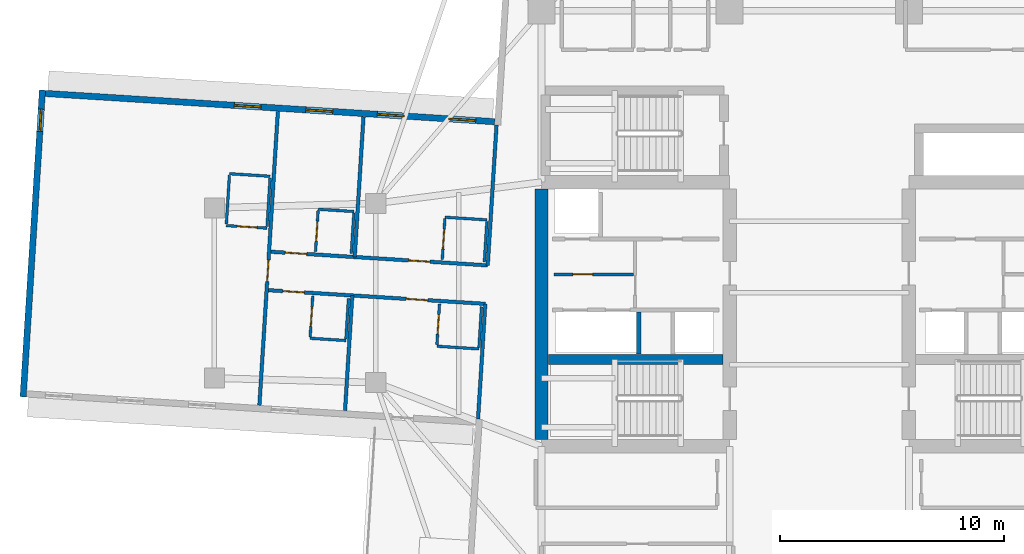
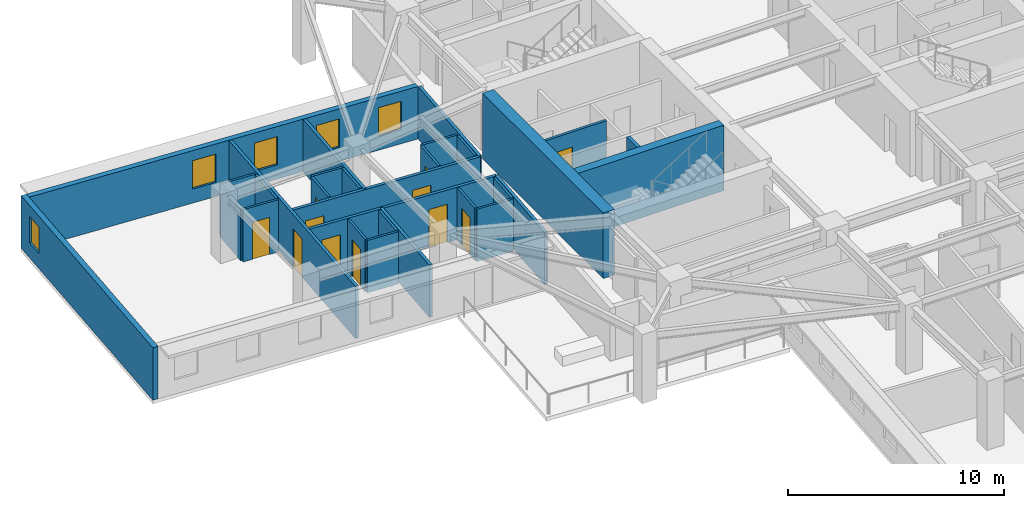
# One storey, part 5 of 14: 29 walls, 11 doors, 5 windows, 16 openings.
"""IFC4 building model written with IfcOpenShell, lengths in metres."""

from ifc_helpers import new_model, si_unit, direction, frame, frame_2d, origin, place, context, subcontext, project, spatial, rectangle, extrude, material, layer, layer_set, type_object, element, fill, save


model = new_model("IFC4")

# Units and contexts
model_context = context("Model", 3, precision=1e-05, world=origin(), true_north=direction((0.0, 1.0)))
body_context = subcontext(model_context, "Body", "Model", "MODEL_VIEW")
ifc_project = project(units=[si_unit("LENGTHUNIT", "METRE"), si_unit("AREAUNIT", "SQUARE_METRE"), si_unit("VOLUMEUNIT", "CUBIC_METRE"), si_unit("PLANEANGLEUNIT", "RADIAN"), si_unit("MASSUNIT", "GRAM", prefix="KILO")], contexts=[model_context])

# Site, building, storey
site_placement = place(None, origin())
site = spatial("IfcSite", under=ifc_project, at=site_placement, CompositionType="ELEMENT")
building_placement = place(site_placement, origin())
building = spatial("IfcBuilding", under=site, at=building_placement, Name="Qingluan Cross Belvedere", CompositionType="ELEMENT")
storey_placement = place(building_placement, frame((0.0, 0.0, 160.5)))
storey = spatial("IfcBuildingStorey", under=building, at=storey_placement, Name="L40", CompositionType="ELEMENT", Elevation=160.5)

# Walls
ifc_material_1 = material(Name="Concrete C50", Category="concrete")
ifc_layer_1 = layer(ifc_material_1, 0.449951171875, Name="CoreShearWall_450")
ifc_layer_set_1 = layer_set([ifc_layer_1], Name="Concrete C50")
wall_type_1 = type_object("IfcWallType", Name="CoreShearWall_450", PredefinedType="SHEAR", material=ifc_layer_set_1)
wall_1_placement = place(storey_placement, frame((-12.094970703125, -2.9599609375, 0.0), z_axis=(0.0, 0.0, 1.0), x_axis=(1.0, 0.0, 0.0)))
element("IfcWall", 1, at=wall_1_placement, inside=storey, type_object=wall_type_1, Name="Split core W shear wall L40-M", PredefinedType="SHEAR", context=body_context, shape_type="SweptSolid", body=[
    extrude(rectangle(XDim=7.7900390625, YDim=0.449951171875, at=frame_2d((3.89501953125, 0.0))), origin(), (0.0, 0.0, 1.0), 3.699951171875),
])
ifc_material_2 = material(Name="Concrete C60", Category="concrete")
ifc_layer_2 = layer(ifc_material_2, 0.60009765625, Name="CoreShearWall_600")
ifc_layer_set_2 = layer_set([ifc_layer_2], Name="Concrete C60")
wall_type_2 = type_object("IfcWallType", Name="CoreShearWall_600", PredefinedType="SHEAR", material=ifc_layer_set_2)
wall_2_placement = place(storey_placement, frame((-12.39990234375, -6.544921875, 0.0), z_axis=(0.0, 0.0, 1.0), x_axis=(0.0, 1.0, 0.0)))
element("IfcWall", 2, at=wall_2_placement, inside=storey, type_object=wall_type_2, Name="Split core W shear wall L40-W", PredefinedType="SHEAR", context=body_context, shape_type="SweptSolid", body=[
    extrude(rectangle(XDim=11.18994140625, YDim=0.60009765625, at=frame_2d((5.594970703125, 0.0))), origin(), (0.0, 0.0, 1.0), 3.699951171875),
])

# Wall, opening, door
ifc_material_3 = material(Name="Gypsum plasterboard on steel stud acoustic partition", Category="steel")
ifc_layer_3 = layer(ifc_material_3, 0.159912109375, Name="CorridorPartition_160")
ifc_layer_set_3 = layer_set([ifc_layer_3], Name="Gypsum plasterboard on steel stud acoustic partition")
wall_type_3 = type_object("IfcWallType", Name="CorridorPartition_160", PredefinedType="PARTITIONING", material=ifc_layer_set_3)
wall_3_placement = place(storey_placement, frame((-11.85009765625, 0.830078125, 0.0), z_axis=(0.0, 0.0, 1.0), x_axis=(1.0, 0.0, 0.0)))
wall_3 = element("IfcWall", 3, at=wall_3_placement, inside=storey, type_object=wall_type_3, Name="Partition L40:w", PredefinedType="PARTITIONING", context=body_context, shape_type="SweptSolid", body=[
    extrude(rectangle(XDim=3.552001953125, YDim=0.139892578125, at=frame_2d((1.77587890625, 0.0))), origin(), (0.0, 0.0, 1.0), 2.9599609375),
])
opening_1_placement = place(wall_3_placement, frame((0.85009765625, 0.0, 0.0)))
opening_1 = element("IfcOpeningElement", 4, at=opening_1_placement, cuts=wall_3, Name="Opening FD-B10", PredefinedType="OPENING", context=body_context, shape_type="SweptSolid", body=[
    extrude(rectangle(XDim=0.8798828125, YDim=2.10009765625, at=frame_2d((0.43994140625, 1.050048828125))), frame((0.0, 0.079833984375, 0.0), z_axis=(0.0, -1.0, 0.0), x_axis=(1.0, 0.0, 0.0)), (0.0, 0.0, 1.0), 0.159912109375),
])
ifc_material_4 = material(Name="Steel Class B service fire door", Category="steel")
door_type_1 = type_object("IfcDoorType", Name="RiserServiceFireDoor_FDB", OperationType="NOTDEFINED", PredefinedType="DOOR", material=ifc_material_4)
door_1_placement = place(opening_1_placement, origin())
door_1 = element("IfcDoor", 5, at=door_1_placement, inside=storey, type_object=door_type_1, Name="Service closet inner door L40", OperationType="SINGLE_SWING_LEFT", OverallHeight=2.10009765625, OverallWidth=0.8798828125, PredefinedType="DOOR", context=body_context, shape_type="SweptSolid", body=[
    extrude(rectangle(XDim=0.8798828125, YDim=2.10009765625, at=frame_2d((0.43994140625, 1.050048828125))), frame((0.0, 0.02490234375, 0.0), z_axis=(0.0, -1.0, 0.0), x_axis=(1.0, 0.0, 0.0)), (0.0, 0.0, 1.0), 0.050048828125),
])
fill(opening_1, door_1)

# Wall, openings, doors
wall_4_placement = place(storey_placement, frame((-14.802001953125, 1.231689453125, 0.0), z_axis=(0.0, 0.0, 1.0), x_axis=(-0.9980262432, 0.062798231534, 0.0)))
wall_4 = element("IfcWall", 6, at=wall_4_placement, inside=storey, type_object=wall_type_3, Name="Partition L40:W:c0", PredefinedType="PARTITIONING", context=body_context, shape_type="SweptSolid", body=[
    extrude(rectangle(XDim=9.69970703125, YDim=0.159912109375, at=frame_2d((4.849853515625, 0.0))), origin(), (0.0, 0.0, 1.0), 2.9599609375),
])
opening_2_placement = place(wall_4_placement, frame((2.574951171875, 0.0, 0.0)))
opening_2 = element("IfcOpeningElement", 7, at=opening_2_placement, cuts=wall_4, Name="Opening GD-10", PredefinedType="OPENING", context=body_context, shape_type="SweptSolid", body=[
    extrude(rectangle(XDim=0.9599609375, YDim=2.14990234375, at=frame_2d((0.47998046875, 1.074951171875))), frame((0.0, 0.08984375, 0.0), z_axis=(0.0, -1.0, 0.0), x_axis=(1.0, 0.0, 0.0)), (0.0, 0.0, 1.0), 0.179931640625),
])
opening_3_placement = place(wall_4_placement, frame((8.096923828125, 0.0, 0.0)))
opening_3 = element("IfcOpeningElement", 8, at=opening_3_placement, cuts=wall_4, Name="Opening GD-10", PredefinedType="OPENING", context=body_context, shape_type="SweptSolid", body=[
    extrude(rectangle(XDim=0.9599609375, YDim=2.14990234375, at=frame_2d((0.47998046875, 1.074951171875))), frame((0.0, 0.08984375, 0.0), z_axis=(0.0, -1.0, 0.0), x_axis=(1.0, 0.0, 0.0)), (0.0, 0.0, 1.0), 0.179931640625),
])
ifc_material_5 = material(Name="Timber oak fire-rated acoustic guestroom door", Category="wood")
door_type_2 = type_object("IfcDoorType", Name="GuestEntryDoor_FD60", OperationType="NOTDEFINED", PredefinedType="DOOR", material=ifc_material_5)
door_2_placement = place(opening_2_placement, origin())
door_2 = element("IfcDoor", 9, at=door_2_placement, inside=storey, type_object=door_type_2, Name="Guest entry fire door 4007", OperationType="SINGLE_SWING_RIGHT", OverallHeight=2.14990234375, OverallWidth=0.9599609375, PredefinedType="DOOR", context=body_context, shape_type="SweptSolid", body=[
    extrude(rectangle(XDim=0.9599609375, YDim=2.14990234375, at=frame_2d((0.47998046875, 1.074951171875))), frame((0.0, 0.02490234375, 0.0), z_axis=(0.0, -1.0, 0.0), x_axis=(1.0, 0.0, 0.0)), (0.0, 0.0, 1.0), 0.050048828125),
])
fill(opening_2, door_2)
door_3_placement = place(opening_3_placement, origin())
door_3 = element("IfcDoor", 10, at=door_3_placement, inside=storey, type_object=door_type_2, Name="Guest entry fire door 4008", OperationType="SINGLE_SWING_RIGHT", OverallHeight=2.14990234375, OverallWidth=0.9599609375, PredefinedType="DOOR", context=body_context, shape_type="SweptSolid", body=[
    extrude(rectangle(XDim=0.9599609375, YDim=2.14990234375, at=frame_2d((0.47998046875, 1.074951171875))), frame((0.0, 0.02490234375, 0.0), z_axis=(0.0, -1.0, 0.0), x_axis=(1.0, 0.0, 0.0)), (0.0, 0.0, 1.0), 0.050048828125),
])
fill(opening_3, door_3)

# Walls
wall_5_placement = place(storey_placement, frame((-14.802001953125, 1.231689453125, 0.0), z_axis=(0.0, 0.0, 1.0), x_axis=(0.062824170115, 0.998024610743, 0.0)))
element("IfcWall", 11, at=wall_5_placement, inside=storey, type_object=wall_type_3, Name="Partition L40:W:s0", PredefinedType="PARTITIONING", context=body_context, shape_type="SweptSolid", body=[
    extrude(rectangle(XDim=6.272216796875, YDim=0.159912109375, at=frame_2d((3.13623046875, 0.0))), origin(), (0.0, 0.0, 1.0), 2.9599609375),
])
wall_6_placement = place(storey_placement, frame((-20.739990234375, 1.60546875, 0.0), z_axis=(0.0, 0.0, 1.0), x_axis=(0.062787838256, 0.998026897116, 0.0)))
element("IfcWall", 12, at=wall_6_placement, inside=storey, type_object=wall_type_3, Name="Partition L40:W:d0_0", PredefinedType="PARTITIONING", context=body_context, shape_type="SweptSolid", body=[
    extrude(rectangle(XDim=6.27197265625, YDim=0.159912109375, at=frame_2d((3.135986328125, 0.0))), origin(), (0.0, 0.0, 1.0), 2.9599609375),
])

# Wall, openings, doors
wall_7_placement = place(storey_placement, frame((-14.909912109375, -0.48486328125, 0.0), z_axis=(0.0, 0.0, 1.0), x_axis=(-0.998026342456, 0.062796654085, 0.0)))
wall_7 = element("IfcWall", 13, at=wall_7_placement, inside=storey, type_object=wall_type_3, Name="Partition L40:W:c1", PredefinedType="PARTITIONING", context=body_context, shape_type="SweptSolid", body=[
    extrude(rectangle(XDim=9.699951171875, YDim=0.159912109375, at=frame_2d((4.85009765625, 0.0))), origin(), (0.0, 0.0, 1.0), 2.9599609375),
])
opening_4_placement = place(wall_7_placement, frame((2.574951171875, 0.0, 0.0)))
opening_4 = element("IfcOpeningElement", 14, at=opening_4_placement, cuts=wall_7, Name="Opening GD-10", PredefinedType="OPENING", context=body_context, shape_type="SweptSolid", body=[
    extrude(rectangle(XDim=0.9599609375, YDim=2.14990234375, at=frame_2d((0.47998046875, 1.074951171875))), frame((0.0, 0.08984375, 0.0), z_axis=(0.0, -1.0, 0.0), x_axis=(1.0, 0.0, 0.0)), (0.0, 0.0, 1.0), 0.179931640625),
])
opening_5_placement = place(wall_7_placement, frame((8.096923828125, 0.0, 0.0)))
opening_5 = element("IfcOpeningElement", 15, at=opening_5_placement, cuts=wall_7, Name="Opening GD-10", PredefinedType="OPENING", context=body_context, shape_type="SweptSolid", body=[
    extrude(rectangle(XDim=0.9599609375, YDim=2.14990234375, at=frame_2d((0.47998046875, 1.074951171875))), frame((0.0, 0.08984375, 0.0), z_axis=(0.0, -1.0, 0.0), x_axis=(1.0, 0.0, 0.0)), (0.0, 0.0, 1.0), 0.179931640625),
])
door_4_placement = place(opening_4_placement, origin())
door_4 = element("IfcDoor", 16, at=door_4_placement, inside=storey, type_object=door_type_2, Name="Guest entry fire door 4009", OperationType="SINGLE_SWING_RIGHT", OverallHeight=2.14990234375, OverallWidth=0.9599609375, PredefinedType="DOOR", context=body_context, shape_type="SweptSolid", body=[
    extrude(rectangle(XDim=0.9599609375, YDim=2.14990234375, at=frame_2d((0.47998046875, 1.074951171875))), frame((0.0, 0.02490234375, 0.0), z_axis=(0.0, -1.0, 0.0), x_axis=(1.0, 0.0, 0.0)), (0.0, 0.0, 1.0), 0.050048828125),
])
fill(opening_4, door_4)
door_5_placement = place(opening_5_placement, origin())
door_5 = element("IfcDoor", 17, at=door_5_placement, inside=storey, type_object=door_type_2, Name="Guest entry fire door 4010", OperationType="SINGLE_SWING_RIGHT", OverallHeight=2.14990234375, OverallWidth=0.9599609375, PredefinedType="DOOR", context=body_context, shape_type="SweptSolid", body=[
    extrude(rectangle(XDim=0.9599609375, YDim=2.14990234375, at=frame_2d((0.47998046875, 1.074951171875))), frame((0.0, 0.02490234375, 0.0), z_axis=(0.0, -1.0, 0.0), x_axis=(1.0, 0.0, 0.0)), (0.0, 0.0, 1.0), 0.050048828125),
])
fill(opening_5, door_5)

# Walls
for number, where, z_axis, x_axis, name in (
    (18, (-14.909912109375, -0.48486328125, 0.0), (0.0, 0.0, 1.0), (-0.06278835741, -0.998026864455, 0.0), "Partition L40:W:s1"),
    (19, (-20.84814453125, -0.111083984375, 0.0), (0.0, 0.0, 1.0), (-0.06278835741, -0.998026864455, 0.0), "Partition L40:W:d1_0"),
):
    element("IfcWall", number, at=place(storey_placement, frame(where, z_axis=z_axis, x_axis=x_axis)), inside=storey, type_object=wall_type_3, Name=name, PredefinedType="PARTITIONING", context=body_context, shape_type="SweptSolid", body=[
        extrude(rectangle(XDim=5.152099609375, YDim=0.159912109375, at=frame_2d((2.576171875, 0.0))), origin(), (0.0, 0.0, 1.0), 2.9599609375),
    ])

# Wall, opening, door
wall_8_placement = place(storey_placement, frame((-24.994140625, -5.012451171875, 0.0), z_axis=(0.0, 0.0, 1.0), x_axis=(0.062800362452, 0.998026109115, 0.0)))
wall_8 = element("IfcWall", 20, at=wall_8_placement, inside=storey, type_object=wall_type_3, Name="Partition L40:Wcap:in", PredefinedType="PARTITIONING", context=body_context, shape_type="SweptSolid", body=[
    extrude(rectangle(XDim=13.143798828125, YDim=0.159912109375, at=frame_2d((6.57177734375, 0.0))), origin(), (0.0, 0.0, 1.0), 2.9599609375),
])
opening_6_placement = place(wall_8_placement, frame((5.531982421875, 0.0, 0.0)))
opening_6 = element("IfcOpeningElement", 21, at=opening_6_placement, cuts=wall_8, Name="Opening GD-10", PredefinedType="OPENING", context=body_context, shape_type="SweptSolid", body=[
    extrude(rectangle(XDim=0.9599609375, YDim=2.14990234375, at=frame_2d((0.47998046875, 1.074951171875))), frame((0.0, 0.08984375, 0.0), z_axis=(0.0, -1.0, 0.0), x_axis=(1.0, 0.0, 0.0)), (0.0, 0.0, 1.0), 0.179931640625),
])
door_6_placement = place(opening_6_placement, origin())
door_6 = element("IfcDoor", 22, at=door_6_placement, inside=storey, type_object=door_type_2, Name="Presidential suite entrance door L40W", OperationType="SINGLE_SWING_LEFT", OverallHeight=2.14990234375, OverallWidth=0.9599609375, PredefinedType="DOOR", context=body_context, shape_type="SweptSolid", body=[
    extrude(rectangle(XDim=0.9599609375, YDim=2.14990234375, at=frame_2d((0.47998046875, 1.074951171875))), frame((0.0, 0.02490234375, 0.0), z_axis=(0.0, -1.0, 0.0), x_axis=(1.0, 0.0, 0.0)), (0.0, 0.0, 1.0), 0.050048828125),
])
fill(opening_6, door_6)

ifc_material_6 = material(Name="Moisture-resistant gypsum board lining")
ifc_layer_4 = layer(ifc_material_6, 0.1201171875, Name="EnsuiteWetPartition_120")
ifc_layer_set_4 = layer_set([ifc_layer_4], Name="Moisture-resistant gypsum board lining")
wall_type_4 = type_object("IfcWallType", Name="EnsuiteWetPartition_120", PredefinedType="PARTITIONING", material=ifc_layer_set_4)
wall_9_placement = place(storey_placement, frame((-16.8291015625, 1.499755859375, 0.0), z_axis=(0.0, 0.0, 1.0), x_axis=(0.062779145668, 0.998027443946, 0.0)))
wall_9 = element("IfcWall", 23, at=wall_9_placement, inside=storey, type_object=wall_type_4, Name="Partition L40:W:bs0_0", PredefinedType="PARTITIONING", context=body_context, shape_type="SweptSolid", body=[
    extrude(rectangle(XDim=1.820068359375, YDim=0.1201171875, at=frame_2d((0.91015625, 0.0))), origin(), (0.0, 0.0, 1.0), 2.9599609375),
])
opening_7_placement = place(wall_9_placement, frame((0.469970703125, 0.0, 0.0)))
opening_7 = element("IfcOpeningElement", 24, at=opening_7_placement, cuts=wall_9, Name="Opening BD-09", PredefinedType="OPENING", context=body_context, shape_type="SweptSolid", body=[
    extrude(rectangle(XDim=0.8798828125, YDim=2.10009765625, at=frame_2d((0.43994140625, 1.050048828125))), frame((0.0, 0.070068359375, 0.0), z_axis=(0.0, -1.0, 0.0), x_axis=(1.0, 0.0, 0.0)), (0.0, 0.0, 1.0), 0.14013671875),
])
ifc_material_7 = material(Name="Moisture-sealed timber en-suite door", Category="wood")
door_type_3 = type_object("IfcDoorType", Name="BathroomDoor_880", OperationType="NOTDEFINED", PredefinedType="DOOR", material=ifc_material_7)
door_7_placement = place(opening_7_placement, origin())
door_7 = element("IfcDoor", 25, at=door_7_placement, inside=storey, type_object=door_type_3, Name="Bathroom door 4007", OperationType="SINGLE_SWING_LEFT", OverallHeight=2.10009765625, OverallWidth=0.8798828125, PredefinedType="DOOR", context=body_context, shape_type="SweptSolid", body=[
    extrude(rectangle(XDim=0.8798828125, YDim=2.10009765625, at=frame_2d((0.43994140625, 1.050048828125))), frame((0.0, 0.02490234375, 0.0), z_axis=(0.0, -1.0, 0.0), x_axis=(1.0, 0.0, 0.0)), (0.0, 0.0, 1.0), 0.050048828125),
])
fill(opening_7, door_7)

# Walls
wall_10_placement = place(storey_placement, frame((-14.952880859375, 1.381591796875, 0.0), z_axis=(0.0, 0.0, 1.0), x_axis=(0.062912758763, 0.998019030272, 0.0)))
element("IfcWall", 26, at=wall_10_placement, inside=storey, type_object=wall_type_4, Name="Partition L40:W:bw0_0", PredefinedType="PARTITIONING", context=body_context, shape_type="SweptSolid", body=[
    extrude(rectangle(XDim=1.820068359375, YDim=0.1201171875, at=frame_2d((0.91015625, 0.0))), origin(), (0.0, 0.0, 1.0), 2.9599609375),
])
wall_11_placement = place(storey_placement, frame((-14.83447265625, 3.262939453125, 0.0), z_axis=(0.0, 0.0, 1.0), x_axis=(-0.998030789148, 0.062725942896, 0.0)))
element("IfcWall", 27, at=wall_11_placement, inside=storey, type_object=wall_type_4, Name="Partition L40:W:bn0_0", PredefinedType="PARTITIONING", context=body_context, shape_type="SweptSolid", body=[
    extrude(rectangle(XDim=1.8798828125, YDim=0.1201171875, at=frame_2d((0.93994140625, 0.0))), origin(), (0.0, 0.0, 1.0), 2.9599609375),
])

# Wall, opening, door
wall_12_placement = place(storey_placement, frame((-22.48779296875, 1.855712890625, 0.0), z_axis=(0.0, 0.0, 1.0), x_axis=(0.062779145668, 0.998027443946, 0.0)))
wall_12 = element("IfcWall", 28, at=wall_12_placement, inside=storey, type_object=wall_type_4, Name="Partition L40:W:bs0_1", PredefinedType="PARTITIONING", context=body_context, shape_type="SweptSolid", body=[
    extrude(rectangle(XDim=1.820068359375, YDim=0.1201171875, at=frame_2d((0.91015625, 0.0))), origin(), (0.0, 0.0, 1.0), 2.9599609375),
])
opening_8_placement = place(wall_12_placement, frame((0.469970703125, 0.0, 0.0)))
opening_8 = element("IfcOpeningElement", 29, at=opening_8_placement, cuts=wall_12, Name="Opening BD-09", PredefinedType="OPENING", context=body_context, shape_type="SweptSolid", body=[
    extrude(rectangle(XDim=0.8798828125, YDim=2.10009765625, at=frame_2d((0.43994140625, 1.050048828125))), frame((0.0, 0.070068359375, 0.0), z_axis=(0.0, -1.0, 0.0), x_axis=(1.0, 0.0, 0.0)), (0.0, 0.0, 1.0), 0.14013671875),
])
door_8_placement = place(opening_8_placement, origin())
door_8 = element("IfcDoor", 30, at=door_8_placement, inside=storey, type_object=door_type_3, Name="Bathroom door 4008", OperationType="SINGLE_SWING_LEFT", OverallHeight=2.10009765625, OverallWidth=0.8798828125, PredefinedType="DOOR", context=body_context, shape_type="SweptSolid", body=[
    extrude(rectangle(XDim=0.8798828125, YDim=2.10009765625, at=frame_2d((0.43994140625, 1.050048828125))), frame((0.0, 0.02490234375, 0.0), z_axis=(0.0, -1.0, 0.0), x_axis=(1.0, 0.0, 0.0)), (0.0, 0.0, 1.0), 0.050048828125),
])
fill(opening_8, door_8)

# Walls
wall_13_placement = place(storey_placement, frame((-20.89111328125, 1.755126953125, 0.0), z_axis=(0.0, 0.0, 1.0), x_axis=(0.062912758763, 0.998019030272, 0.0)))
element("IfcWall", 31, at=wall_13_placement, inside=storey, type_object=wall_type_4, Name="Partition L40:W:bw0_1", PredefinedType="PARTITIONING", context=body_context, shape_type="SweptSolid", body=[
    extrude(rectangle(XDim=1.820068359375, YDim=0.1201171875, at=frame_2d((0.91015625, 0.0))), origin(), (0.0, 0.0, 1.0), 2.9599609375),
])
wall_14_placement = place(storey_placement, frame((-20.772705078125, 3.636474609375, 0.0), z_axis=(0.0, 0.0, 1.0), x_axis=(-0.998021579404, 0.062872307449, 0.0)))
element("IfcWall", 32, at=wall_14_placement, inside=storey, type_object=wall_type_4, Name="Partition L40:W:bn0_1", PredefinedType="PARTITIONING", context=body_context, shape_type="SweptSolid", body=[
    extrude(rectangle(XDim=1.599853515625, YDim=0.1201171875, at=frame_2d((0.7998046875, 0.0))), origin(), (0.0, 0.0, 1.0), 2.9599609375),
])

# Wall, opening, door
wall_15_placement = place(storey_placement, frame((-17.06884765625, -2.312744140625, 0.0), z_axis=(0.0, 0.0, 1.0), x_axis=(0.062779145668, 0.998027443946, 0.0)))
wall_15 = element("IfcWall", 33, at=wall_15_placement, inside=storey, type_object=wall_type_4, Name="Partition L40:W:bs1_0", PredefinedType="PARTITIONING", context=body_context, shape_type="SweptSolid", body=[
    extrude(rectangle(XDim=1.820068359375, YDim=0.1201171875, at=frame_2d((0.91015625, 0.0))), origin(), (0.0, 0.0, 1.0), 2.9599609375),
])
opening_9_placement = place(wall_15_placement, frame((0.469970703125, 0.0, 0.0)))
opening_9 = element("IfcOpeningElement", 34, at=opening_9_placement, cuts=wall_15, Name="Opening BD-09", PredefinedType="OPENING", context=body_context, shape_type="SweptSolid", body=[
    extrude(rectangle(XDim=0.8798828125, YDim=2.10009765625, at=frame_2d((0.43994140625, 1.050048828125))), frame((0.0, 0.070068359375, 0.0), z_axis=(0.0, -1.0, 0.0), x_axis=(1.0, 0.0, 0.0)), (0.0, 0.0, 1.0), 0.14013671875),
])
door_9_placement = place(opening_9_placement, origin())
door_9 = element("IfcDoor", 35, at=door_9_placement, inside=storey, type_object=door_type_3, Name="Bathroom door 4009", OperationType="SINGLE_SWING_LEFT", OverallHeight=2.10009765625, OverallWidth=0.8798828125, PredefinedType="DOOR", context=body_context, shape_type="SweptSolid", body=[
    extrude(rectangle(XDim=0.8798828125, YDim=2.10009765625, at=frame_2d((0.43994140625, 1.050048828125))), frame((0.0, 0.02490234375, 0.0), z_axis=(0.0, -1.0, 0.0), x_axis=(1.0, 0.0, 0.0)), (0.0, 0.0, 1.0), 0.050048828125),
])
fill(opening_9, door_9)

# Walls
wall_16_placement = place(storey_placement, frame((-15.192626953125, -2.430908203125, 0.0), z_axis=(0.0, 0.0, 1.0), x_axis=(0.062779145668, 0.998027443946, 0.0)))
element("IfcWall", 36, at=wall_16_placement, inside=storey, type_object=wall_type_4, Name="Partition L40:W:bw1_0", PredefinedType="PARTITIONING", context=body_context, shape_type="SweptSolid", body=[
    extrude(rectangle(XDim=1.820068359375, YDim=0.1201171875, at=frame_2d((0.91015625, 0.0))), origin(), (0.0, 0.0, 1.0), 2.9599609375),
])
wall_17_placement = place(storey_placement, frame((-15.19677734375, -2.49560546875, 0.0), z_axis=(0.0, 0.0, 1.0), x_axis=(-0.998030789148, 0.062725942896, 0.0)))
element("IfcWall", 37, at=wall_17_placement, inside=storey, type_object=wall_type_4, Name="Partition L40:W:bc1_0", PredefinedType="PARTITIONING", context=body_context, shape_type="SweptSolid", body=[
    extrude(rectangle(XDim=1.8798828125, YDim=0.1201171875, at=frame_2d((0.93994140625, 0.0))), origin(), (0.0, 0.0, 1.0), 2.9599609375),
])

# Wall, opening, door
wall_18_placement = place(storey_placement, frame((-22.727783203125, -1.956787109375, 0.0), z_axis=(0.0, 0.0, 1.0), x_axis=(0.062912758763, 0.998019030272, 0.0)))
wall_18 = element("IfcWall", 38, at=wall_18_placement, inside=storey, type_object=wall_type_4, Name="Partition L40:W:bs1_1", PredefinedType="PARTITIONING", context=body_context, shape_type="SweptSolid", body=[
    extrude(rectangle(XDim=1.820068359375, YDim=0.1201171875, at=frame_2d((0.91015625, 0.0))), origin(), (0.0, 0.0, 1.0), 2.9599609375),
])
opening_10_placement = place(wall_18_placement, frame((0.469970703125, 0.0, 0.0)))
opening_10 = element("IfcOpeningElement", 39, at=opening_10_placement, cuts=wall_18, Name="Opening BD-09", PredefinedType="OPENING", context=body_context, shape_type="SweptSolid", body=[
    extrude(rectangle(XDim=0.8798828125, YDim=2.10009765625, at=frame_2d((0.43994140625, 1.050048828125))), frame((0.0, 0.070068359375, 0.0), z_axis=(0.0, -1.0, 0.0), x_axis=(1.0, 0.0, 0.0)), (0.0, 0.0, 1.0), 0.14013671875),
])
door_10_placement = place(opening_10_placement, origin())
door_10 = element("IfcDoor", 40, at=door_10_placement, inside=storey, type_object=door_type_3, Name="Bathroom door 4010", OperationType="SINGLE_SWING_LEFT", OverallHeight=2.10009765625, OverallWidth=0.8798828125, PredefinedType="DOOR", context=body_context, shape_type="SweptSolid", body=[
    extrude(rectangle(XDim=0.8798828125, YDim=2.10009765625, at=frame_2d((0.43994140625, 1.050048828125))), frame((0.0, 0.02490234375, 0.0), z_axis=(0.0, -1.0, 0.0), x_axis=(1.0, 0.0, 0.0)), (0.0, 0.0, 1.0), 0.050048828125),
])
fill(opening_10, door_10)

# Walls
wall_19_placement = place(storey_placement, frame((-21.130859375, -2.05712890625, 0.0), z_axis=(0.0, 0.0, 1.0), x_axis=(0.062779145668, 0.998027443946, 0.0)))
element("IfcWall", 41, at=wall_19_placement, inside=storey, type_object=wall_type_4, Name="Partition L40:W:bw1_1", PredefinedType="PARTITIONING", context=body_context, shape_type="SweptSolid", body=[
    extrude(rectangle(XDim=1.820068359375, YDim=0.1201171875, at=frame_2d((0.91015625, 0.0))), origin(), (0.0, 0.0, 1.0), 2.9599609375),
])
wall_20_placement = place(storey_placement, frame((-21.135009765625, -2.1220703125, 0.0), z_axis=(0.0, 0.0, 1.0), x_axis=(-0.998021579404, 0.062872307449, 0.0)))
element("IfcWall", 42, at=wall_20_placement, inside=storey, type_object=wall_type_4, Name="Partition L40:W:bc1_1", PredefinedType="PARTITIONING", context=body_context, shape_type="SweptSolid", body=[
    extrude(rectangle(XDim=1.599853515625, YDim=0.1201171875, at=frame_2d((0.7998046875, 0.0))), origin(), (0.0, 0.0, 1.0), 2.9599609375),
])
wall_21_placement = place(storey_placement, frame((-24.652587890625, 2.9638671875, 0.0), z_axis=(0.0, 0.0, 1.0), x_axis=(0.06283150573, 0.99802414895, 0.0)))
element("IfcWall", 43, at=wall_21_placement, inside=storey, type_object=wall_type_4, Name="Partition L40:Wcap:ba", PredefinedType="PARTITIONING", context=body_context, shape_type="SweptSolid", body=[
    extrude(rectangle(XDim=2.179931640625, YDim=0.1201171875, at=frame_2d((1.08984375, 0.0))), origin(), (0.0, 0.0, 1.0), 2.9599609375),
])
wall_22_placement = place(storey_placement, frame((-26.468994140625, 3.078125, 0.0), z_axis=(0.0, 0.0, 1.0), x_axis=(0.062824483344, 0.998024591026, 0.0)))
element("IfcWall", 44, at=wall_22_placement, inside=storey, type_object=wall_type_4, Name="Partition L40:Wcap:bb", PredefinedType="PARTITIONING", context=body_context, shape_type="SweptSolid", body=[
    extrude(rectangle(XDim=2.18017578125, YDim=0.1201171875, at=frame_2d((1.090087890625, 0.0))), origin(), (0.0, 0.0, 1.0), 2.9599609375),
])

# Wall, opening, door
wall_23_placement = place(storey_placement, frame((-24.656982421875, 2.893798828125, 0.0), z_axis=(0.0, 0.0, 1.0), x_axis=(-0.998019030272, 0.062912758763, 0.0)))
wall_23 = element("IfcWall", 45, at=wall_23_placement, inside=storey, type_object=wall_type_4, Name="Partition L40:Wcap:bs", PredefinedType="PARTITIONING", context=body_context, shape_type="SweptSolid", body=[
    extrude(rectangle(XDim=1.820068359375, YDim=0.1201171875, at=frame_2d((0.91015625, 0.0))), origin(), (0.0, 0.0, 1.0), 2.9599609375),
])
opening_11_placement = place(wall_23_placement, frame((0.449951171875, 0.0, 0.0)))
opening_11 = element("IfcOpeningElement", 46, at=opening_11_placement, cuts=wall_23, Name="Opening BD-09", PredefinedType="OPENING", context=body_context, shape_type="SweptSolid", body=[
    extrude(rectangle(XDim=0.8798828125, YDim=2.10009765625, at=frame_2d((0.43994140625, 1.050048828125))), frame((0.0, 0.070068359375, 0.0), z_axis=(0.0, -1.0, 0.0), x_axis=(1.0, 0.0, 0.0)), (0.0, 0.0, 1.0), 0.14013671875),
])
door_11_placement = place(opening_11_placement, origin())
door_11 = element("IfcDoor", 47, at=door_11_placement, inside=storey, type_object=door_type_3, Name="En-suite bathroom door L40W", OperationType="SINGLE_SWING_RIGHT", OverallHeight=2.10009765625, OverallWidth=0.8798828125, PredefinedType="DOOR", context=body_context, shape_type="SweptSolid", body=[
    extrude(rectangle(XDim=0.8798828125, YDim=2.10009765625, at=frame_2d((0.43994140625, 1.050048828125))), frame((0.0, 0.02490234375, 0.0), z_axis=(0.0, -1.0, 0.0), x_axis=(1.0, 0.0, 0.0)), (0.0, 0.0, 1.0), 0.050048828125),
])
fill(opening_11, door_11)

# Wall
wall_24_placement = place(storey_placement, frame((-24.51123046875, 5.20947265625, 0.0), z_axis=(0.0, 0.0, 1.0), x_axis=(-0.998035839873, 0.062645529196, 0.0)))
element("IfcWall", 48, at=wall_24_placement, inside=storey, type_object=wall_type_4, Name="Partition L40:Wcap:bn", PredefinedType="PARTITIONING", context=body_context, shape_type="SweptSolid", body=[
    extrude(rectangle(XDim=1.820068359375, YDim=0.1201171875, at=frame_2d((0.91015625, 0.0))), origin(), (0.0, 0.0, 1.0), 2.9599609375),
])

# Wall, openings, windows
ifc_material_8 = material(Name="Precast concrete C45", Category="concrete")
ifc_layer_5 = layer(ifc_material_8, 0.280029296875, Name="PrecastFacadeWall_280")
ifc_layer_set_5 = layer_set([ifc_layer_5], Name="Precast concrete C45")
wall_type_5 = type_object("IfcWallType", Name="PrecastFacadeWall_280", PredefinedType="STANDARD", material=ifc_layer_set_5)
wall_25_placement = place(storey_placement, frame((-14.488525390625, 7.644775390625, 0.0), z_axis=(0.0, 0.0, 1.0), x_axis=(-0.99802635503, 0.06279645424, 0.0)))
wall_25 = element("IfcWall", 49, at=wall_25_placement, inside=storey, type_object=wall_type_5, Name="Facade wall L40-WA", PredefinedType="STANDARD", context=body_context, shape_type="SweptSolid", body=[
    extrude(rectangle(XDim=20.099853515625, YDim=0.280029296875, at=frame_2d((10.0498046875, 0.0))), origin(), (0.0, 0.0, 1.0), 2.969970703125),
])
opening_12_placement = place(wall_25_placement, frame((0.85009765625, 0.0, 0.800048828125)))
opening_12 = element("IfcOpeningElement", 50, at=opening_12_placement, cuts=wall_25, Name="Opening W-02", PredefinedType="OPENING", context=body_context, shape_type="SweptSolid", body=[
    extrude(rectangle(XDim=1.199951171875, YDim=1.60009765625, at=frame_2d((0.60009765625, 0.800048828125))), frame((0.0, 0.14990234375, 0.0), z_axis=(0.0, -1.0, 0.0), x_axis=(1.0, 0.0, 0.0)), (0.0, 0.0, 1.0), 0.300048828125),
])
opening_13_placement = place(wall_25_placement, frame((4.050048828125, 0.0, 0.800048828125)))
opening_13 = element("IfcOpeningElement", 51, at=opening_13_placement, cuts=wall_25, Name="Opening W-02", PredefinedType="OPENING", context=body_context, shape_type="SweptSolid", body=[
    extrude(rectangle(XDim=1.199951171875, YDim=1.60009765625, at=frame_2d((0.60009765625, 0.800048828125))), frame((0.0, 0.14990234375, 0.0), z_axis=(0.0, -1.0, 0.0), x_axis=(1.0, 0.0, 0.0)), (0.0, 0.0, 1.0), 0.300048828125),
])
opening_14_placement = place(wall_25_placement, frame((7.25, 0.0, 0.800048828125)))
opening_14 = element("IfcOpeningElement", 52, at=opening_14_placement, cuts=wall_25, Name="Opening W-02", PredefinedType="OPENING", context=body_context, shape_type="SweptSolid", body=[
    extrude(rectangle(XDim=1.199951171875, YDim=1.60009765625, at=frame_2d((0.60009765625, 0.800048828125))), frame((0.0, 0.14990234375, 0.0), z_axis=(0.0, -1.0, 0.0), x_axis=(1.0, 0.0, 0.0)), (0.0, 0.0, 1.0), 0.300048828125),
])
opening_15_placement = place(wall_25_placement, frame((10.449951171875, 0.0, 0.800048828125)))
opening_15 = element("IfcOpeningElement", 53, at=opening_15_placement, cuts=wall_25, Name="Opening W-02", PredefinedType="OPENING", context=body_context, shape_type="SweptSolid", body=[
    extrude(rectangle(XDim=1.199951171875, YDim=1.60009765625, at=frame_2d((0.60009765625, 0.800048828125))), frame((0.0, 0.14990234375, 0.0), z_axis=(0.0, -1.0, 0.0), x_axis=(1.0, 0.0, 0.0)), (0.0, 0.0, 1.0), 0.300048828125),
])
ifc_material_9 = material(Name="Thermally broken triple Low-E glass in aluminium frame", Category="aluminium")
window_type_1 = type_object("IfcWindowType", Name="TriRibbonWin_1200x1600", PartitioningType="SINGLE_PANEL", PredefinedType="WINDOW", material=ifc_material_9)
window_1_placement = place(opening_12_placement, origin())
window_1 = element("IfcWindow", 54, at=window_1_placement, inside=storey, type_object=window_type_1, Name="Ribbon window L40-WA-1", OverallHeight=1.60009765625, OverallWidth=1.199951171875, PartitioningType="SINGLE_PANEL", PredefinedType="WINDOW", context=body_context, shape_type="SweptSolid", body=[
    extrude(rectangle(XDim=1.199951171875, YDim=1.60009765625, at=frame_2d((0.60009765625, 0.800048828125))), frame((0.0, 0.030029296875, 0.0), z_axis=(0.0, -1.0, 0.0), x_axis=(1.0, 0.0, 0.0)), (0.0, 0.0, 1.0), 0.06005859375),
])
fill(opening_12, window_1)
window_2_placement = place(opening_13_placement, origin())
window_2 = element("IfcWindow", 55, at=window_2_placement, inside=storey, type_object=window_type_1, Name="Ribbon window L40-WA-2", OverallHeight=1.60009765625, OverallWidth=1.199951171875, PartitioningType="SINGLE_PANEL", PredefinedType="WINDOW", context=body_context, shape_type="SweptSolid", body=[
    extrude(rectangle(XDim=1.199951171875, YDim=1.60009765625, at=frame_2d((0.60009765625, 0.800048828125))), frame((0.0, 0.030029296875, 0.0), z_axis=(0.0, -1.0, 0.0), x_axis=(1.0, 0.0, 0.0)), (0.0, 0.0, 1.0), 0.06005859375),
])
fill(opening_13, window_2)
window_3_placement = place(opening_14_placement, origin())
window_3 = element("IfcWindow", 56, at=window_3_placement, inside=storey, type_object=window_type_1, Name="Ribbon window L40-WA-3", OverallHeight=1.60009765625, OverallWidth=1.199951171875, PartitioningType="SINGLE_PANEL", PredefinedType="WINDOW", context=body_context, shape_type="SweptSolid", body=[
    extrude(rectangle(XDim=1.199951171875, YDim=1.60009765625, at=frame_2d((0.60009765625, 0.800048828125))), frame((0.0, 0.030029296875, 0.0), z_axis=(0.0, -1.0, 0.0), x_axis=(1.0, 0.0, 0.0)), (0.0, 0.0, 1.0), 0.06005859375),
])
fill(opening_14, window_3)
window_4_placement = place(opening_15_placement, origin())
window_4 = element("IfcWindow", 57, at=window_4_placement, inside=storey, type_object=window_type_1, Name="Ribbon window L40-WA-4", OverallHeight=1.60009765625, OverallWidth=1.199951171875, PartitioningType="SINGLE_PANEL", PredefinedType="WINDOW", context=body_context, shape_type="SweptSolid", body=[
    extrude(rectangle(XDim=1.199951171875, YDim=1.60009765625, at=frame_2d((0.60009765625, 0.800048828125))), frame((0.0, 0.030029296875, 0.0), z_axis=(0.0, -1.0, 0.0), x_axis=(1.0, 0.0, 0.0)), (0.0, 0.0, 1.0), 0.06005859375),
])
fill(opening_15, window_4)

# Wall, opening, window
wall_26_placement = place(storey_placement, frame((-34.6796875, 9.055419921875, 0.0), z_axis=(0.0, 0.0, 1.0), x_axis=(-0.062797041623, -0.998026318072, 0.0)))
wall_26 = element("IfcWall", 58, at=wall_26_placement, inside=storey, type_object=wall_type_5, Name="Arm tip precast facade wall L40-W", PredefinedType="STANDARD", context=body_context, shape_type="SweptSolid", body=[
    extrude(rectangle(XDim=13.719970703125, YDim=0.280029296875, at=frame_2d((6.85986328125, 0.0))), origin(), (0.0, 0.0, 1.0), 2.969970703125),
])
opening_16_placement = place(wall_26_placement, frame((0.85009765625, 0.0, 0.85009765625)))
opening_16 = element("IfcOpeningElement", 59, at=opening_16_placement, cuts=wall_26, Name="Opening W-03", PredefinedType="OPENING", context=body_context, shape_type="SweptSolid", body=[
    extrude(rectangle(XDim=1.0, YDim=1.5, at=frame_2d((0.5, 0.75))), frame((0.0, 0.14990234375, 0.0), z_axis=(0.0, -1.0, 0.0), x_axis=(1.0, 0.0, 0.0)), (0.0, 0.0, 1.0), 0.300048828125),
])
ifc_material_10 = material(Name="Thermally broken triple Low-E glass in aluminium frame", Category="aluminium")
window_type_2 = type_object("IfcWindowType", Name="TriApexWin_1000x1500", PartitioningType="SINGLE_PANEL", PredefinedType="WINDOW", material=ifc_material_10)
window_5_placement = place(opening_16_placement, origin())
window_5 = element("IfcWindow", 60, at=window_5_placement, inside=storey, type_object=window_type_2, Name="Arm tip triangular window L40-W", OverallHeight=1.5, OverallWidth=1.0, PartitioningType="SINGLE_PANEL", PredefinedType="WINDOW", context=body_context, shape_type="SweptSolid", body=[
    extrude(rectangle(XDim=1.0, YDim=1.5, at=frame_2d((0.5, 0.75))), frame((0.0, 0.030029296875, 0.0), z_axis=(0.0, -1.0, 0.0), x_axis=(1.0, 0.0, 0.0)), (0.0, 0.0, 1.0), 0.06005859375),
])
fill(opening_16, window_5)

# Wall
ifc_material_11 = material(Name="Concrete C40", Category="concrete")
ifc_layer_6 = layer(ifc_material_11, 0.219970703125, Name="ShaftEnclosureWall_250")
ifc_layer_set_6 = layer_set([ifc_layer_6], Name="Concrete C40")
wall_type_6 = type_object("IfcWallType", Name="ShaftEnclosureWall_250", PredefinedType="SOLIDWALL", material=ifc_layer_set_6)
wall_27_placement = place(storey_placement, frame((-8.06005859375, -2.72998046875, 0.0), z_axis=(0.0, 0.0, 1.0), x_axis=(0.0, 1.0, 0.0)))
element("IfcWall", 61, at=wall_27_placement, inside=storey, type_object=wall_type_6, Name="Hoistway enclosure divider LP6E L40", PredefinedType="SOLIDWALL", context=body_context, shape_type="SweptSolid", body=[
    extrude(rectangle(XDim=1.889892578125, YDim=0.179931640625, at=frame_2d((0.94482421875, 0.0))), origin(), (0.0, 0.0, 1.0), 2.9599609375),
])

save(model, "model.ifc")
